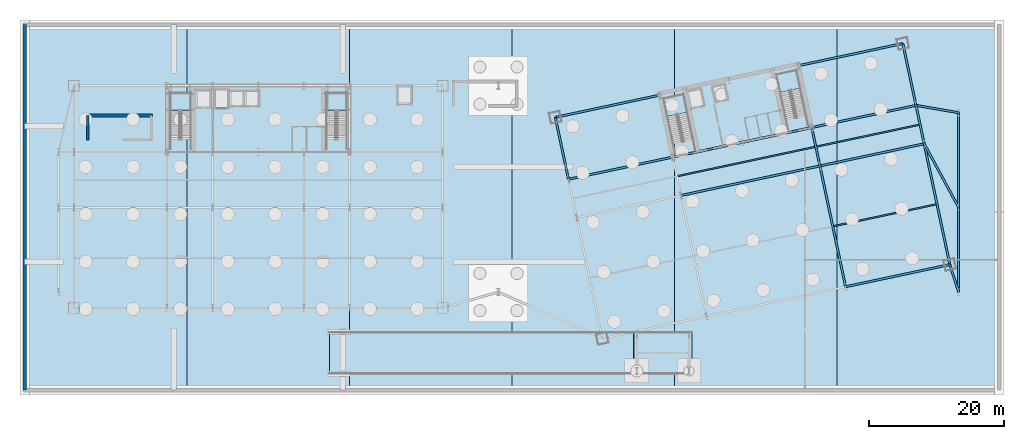
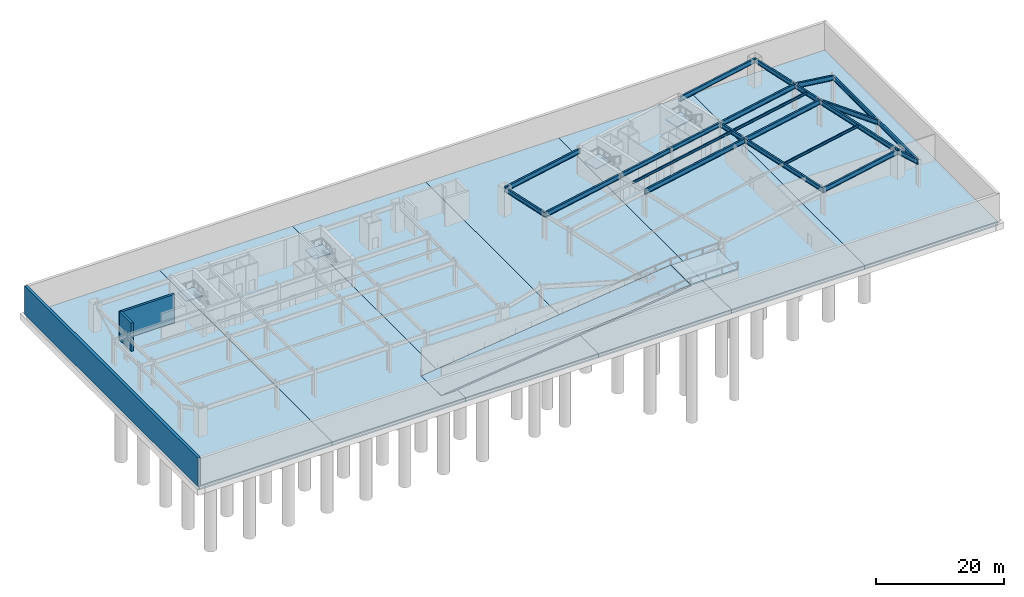
# One storey, part 5 of 15: 23 beams, 12 slabs, 3 walls, 4 elements without a shape of their own.
"""IFC4 building model written with IfcOpenShell, lengths in metres."""

from ifc_helpers import new_model, si_unit, direction, frame, frame_2d, origin, origin_2d, place, context, subcontext, project, spatial, polyline, rectangle, i_section, outline, extrude, material, layer, layer_set, material_profile, profile_set, type_object, element, aggregate, save


model = new_model("IFC4")

# Units and contexts
model_context = context("Model", 3, precision=1e-05, world=origin(), true_north=direction((0.0, 1.0)))
body_context = subcontext(model_context, "Body", "Model", "MODEL_VIEW")
ifc_project = project(units=[si_unit("LENGTHUNIT", "METRE"), si_unit("AREAUNIT", "SQUARE_METRE"), si_unit("VOLUMEUNIT", "CUBIC_METRE"), si_unit("PLANEANGLEUNIT", "RADIAN"), si_unit("MASSUNIT", "GRAM", prefix="KILO")], contexts=[model_context])

# Site, building, storey
site_placement = place(None, origin())
site = spatial("IfcSite", under=ifc_project, at=site_placement, CompositionType="ELEMENT")
building_placement = place(site_placement, origin())
building = spatial("IfcBuilding", under=site, at=building_placement, Name="Haevon Station Towers", CompositionType="ELEMENT")
storey_placement = place(building_placement, frame((0.0, 0.0, -10.800048828125)))
storey = spatial("IfcBuildingStorey", under=building, at=storey_placement, Name="B02", CompositionType="ELEMENT", Elevation=-10.800048828125)

# Beams
ifc_material_1 = material(Name="Steel S355", Category="steel")
ifc_material_profile_1 = material_profile(ifc_material_1, i_section(OverallWidth=0.199951171875, OverallDepth=0.449951171875, WebThickness=0.009033203125, FlangeThickness=0.013916015625, at=origin_2d()), Name="H-450x200x9x14")
ifc_profile_set_1 = profile_set([ifc_material_profile_1], Name="Steel S355")
beam_type_1 = type_object("IfcBeamType", Name="BM-J450", PredefinedType="JOIST", material=ifc_profile_set_1)
beam_1_placement = place(storey_placement, frame((122.504150390625, 27.232666015625, 4.875), z_axis=(0.978149141128, 0.207904443699, 0.0), x_axis=(-0.207904443699, 0.978149141128, 0.0)))
element("IfcBeam", 1, at=beam_1_placement, inside=storey, type_object=beam_type_1, Name="BM-T2J-B02-01-03", PredefinedType="JOIST", context=body_context, shape_type="SweptSolid", body=[
    extrude(i_section(OverallWidth=0.199951171875, OverallDepth=0.449951171875, WebThickness=0.009033203125, FlangeThickness=0.013916015625, at=origin_2d()), origin(), (0.0, 0.0, 1.0), 15.530029296875),
])
beam_2_placement = place(storey_placement, frame((99.462890625, 34.628662109375, 4.875), z_axis=(0.978148548197, 0.207907233306, 0.0), x_axis=(-0.207907233306, 0.978148548197, 0.0)))
element("IfcBeam", 2, at=beam_2_placement, inside=storey, type_object=beam_type_1, Name="BM-T2J-B02-02-02", PredefinedType="JOIST", context=body_context, shape_type="SweptSolid", body=[
    extrude(i_section(OverallWidth=0.199951171875, OverallDepth=0.449951171875, WebThickness=0.009033203125, FlangeThickness=0.013916015625, at=origin_2d()), origin(), (0.0, 0.0, 1.0), 20.780029296875),
])
beam_3_placement = place(storey_placement, frame((120.00390625, 38.994873046875, 4.875), z_axis=(0.978149141128, 0.207904443699, 0.0), x_axis=(-0.207904443699, 0.978149141128, 0.0)))
element("IfcBeam", 3, at=beam_3_placement, inside=storey, type_object=beam_type_1, Name="BM-T2J-B02-02-03", PredefinedType="JOIST", context=body_context, shape_type="SweptSolid", body=[
    extrude(i_section(OverallWidth=0.199951171875, OverallDepth=0.449951171875, WebThickness=0.009033203125, FlangeThickness=0.013916015625, at=origin_2d()), origin(), (0.0, 0.0, 1.0), 15.530029296875),
])
ifc_material_profile_2 = material_profile(ifc_material_1, i_section(OverallWidth=0.300048828125, OverallDepth=0.800048828125, WebThickness=0.013916015625, FlangeThickness=0.02587890625, at=origin_2d()), Name="H-800x300x14x26")
ifc_profile_set_2 = profile_set([ifc_material_profile_2], Name="Steel S355")
beam_type_2 = type_object("IfcBeamType", Name="BM-PG800", PredefinedType="BEAM", material=ifc_profile_set_2)
for number, where, z_axis, x_axis, name in (
    (4, (98.75244140625, 37.4423828125, 4.699951171875), (0.978146794194, 0.207915485254, 0.0), (-0.207915485254, 0.978146794194, 0.0), "BM-T2U-B02-03-02"),
    (5, (109.02294921875, 39.62548828125, 4.699951171875), (0.978146794194, 0.207915485254, 0.0), (-0.207915485254, 0.978146794194, 0.0), "BM-T2U-B02-03-03"),
):
    element("IfcBeam", number, at=place(storey_placement, frame(where, z_axis=z_axis, x_axis=x_axis)), inside=storey, type_object=beam_type_2, Name=name, PredefinedType="BEAM", context=body_context, shape_type="SweptSolid", body=[
        extrude(i_section(OverallWidth=0.300048828125, OverallDepth=0.800048828125, WebThickness=0.013916015625, FlangeThickness=0.02587890625, at=origin_2d()), origin(), (0.0, 0.0, 1.0), 10.5),
    ])
beam_4_placement = place(storey_placement, frame((83.346435546875, 34.167724609375, 4.699951171875), z_axis=(-0.207897167074, 0.978150687738, 0.0), x_axis=(-0.978150687738, -0.207897167074, 0.0)))
element("IfcBeam", 6, at=beam_4_placement, inside=storey, type_object=beam_type_2, Name="BM-T2V-B02-01-03", PredefinedType="BEAM", context=body_context, shape_type="SweptSolid", body=[
    extrude(i_section(OverallWidth=0.300048828125, OverallDepth=0.800048828125, WebThickness=0.013916015625, FlangeThickness=0.02587890625, at=origin_2d()), origin(), (0.0, 0.0, 1.0), 9.35009765625),
])
beam_5_placement = place(storey_placement, frame((124.293701171875, 18.2841796875, 4.699951171875), z_axis=(-0.207915393978, 0.978146813595, 0.0), x_axis=(-0.978146813595, -0.207915393978, 0.0)))
element("IfcBeam", 7, at=beam_5_placement, inside=storey, type_object=beam_type_2, Name="BM-T2V-B02-04-01", PredefinedType="BEAM", context=body_context, shape_type="SweptSolid", body=[
    extrude(i_section(OverallWidth=0.300048828125, OverallDepth=0.800048828125, WebThickness=0.013916015625, FlangeThickness=0.02587890625, at=origin_2d()), origin(), (0.0, 0.0, 1.0), 18.25),
])
beam_6_placement = place(storey_placement, frame((120.499267578125, 36.13525390625, 4.699951171875), z_axis=(-0.207896009217, 0.97815093383, 0.0), x_axis=(-0.97815093383, -0.207896009217, 0.0)))
element("IfcBeam", 8, at=beam_6_placement, inside=storey, type_object=beam_type_2, Name="BM-T2V-B02-04-02", PredefinedType="BEAM", context=body_context, shape_type="SweptSolid", body=[
    extrude(i_section(OverallWidth=0.300048828125, OverallDepth=0.800048828125, WebThickness=0.013916015625, FlangeThickness=0.02587890625, at=origin_2d()), origin(), (0.0, 0.0, 1.0), 5.800048828125),
])
beam_7_placement = place(storey_placement, frame((139.699462890625, 21.558837890625, 4.699951171875), z_axis=(-0.207902594577, 0.978149534155, 0.0), x_axis=(-0.978149534155, -0.207902594577, 0.0)))
element("IfcBeam", 9, at=beam_7_placement, inside=storey, type_object=beam_type_2, Name="BM-T2V-B02-05-01", PredefinedType="BEAM", context=body_context, shape_type="SweptSolid", body=[
    extrude(i_section(OverallWidth=0.300048828125, OverallDepth=0.800048828125, WebThickness=0.013916015625, FlangeThickness=0.02587890625, at=origin_2d()), origin(), (0.0, 0.0, 1.0), 18.249755859375),
])
beam_8_placement = place(storey_placement, frame((135.9052734375, 39.409912109375, 4.699951171875), z_axis=(-0.207936282142, 0.978142373363, 0.0), x_axis=(-0.978142373363, -0.207936282142, 0.0)))
element("IfcBeam", 10, at=beam_8_placement, inside=storey, type_object=beam_type_2, Name="BM-T2V-B02-05-02", PredefinedType="BEAM", context=body_context, shape_type="SweptSolid", body=[
    extrude(i_section(OverallWidth=0.300048828125, OverallDepth=0.800048828125, WebThickness=0.013916015625, FlangeThickness=0.02587890625, at=origin_2d()), origin(), (0.0, 0.0, 1.0), 5.800048828125),
])
beam_9_placement = place(storey_placement, frame((134.69921875, 45.083251953125, 4.699951171875), z_axis=(-0.207902477038, 0.978149559138, 0.0), x_axis=(-0.978149559138, -0.207902477038, 0.0)))
element("IfcBeam", 11, at=beam_9_placement, inside=storey, type_object=beam_type_2, Name="BM-T2V-B02-05-03", PredefinedType="BEAM", context=body_context, shape_type="SweptSolid", body=[
    extrude(i_section(OverallWidth=0.300048828125, OverallDepth=0.800048828125, WebThickness=0.013916015625, FlangeThickness=0.02587890625, at=origin_2d()), origin(), (0.0, 0.0, 1.0), 9.349853515625),
])
beam_10_placement = place(storey_placement, frame((141.0, 17.5, 4.699951171875), z_axis=(0.0, 1.0, 0.0), x_axis=(-1.0, 0.0, 0.0)))
element("IfcBeam", 12, at=beam_10_placement, inside=storey, type_object=beam_type_2, Name="BM-PODNS-B02-E1", PredefinedType="BEAM", context=body_context, shape_type="SweptSolid", body=[
    extrude(i_section(OverallWidth=0.300048828125, OverallDepth=0.800048828125, WebThickness=0.013916015625, FlangeThickness=0.02587890625, at=origin_2d()), origin(), (0.0, 0.0, 1.0), 12.5),
])
beam_11_placement = place(storey_placement, frame((141.0, 30.0, 4.699951171875), z_axis=(0.0, 1.0, 0.0), x_axis=(-1.0, 0.0, 0.0)))
element("IfcBeam", 13, at=beam_11_placement, inside=storey, type_object=beam_type_2, Name="BM-PODNS-B02-E2", PredefinedType="BEAM", context=body_context, shape_type="SweptSolid", body=[
    extrude(i_section(OverallWidth=0.300048828125, OverallDepth=0.800048828125, WebThickness=0.013916015625, FlangeThickness=0.02587890625, at=origin_2d()), origin(), (0.0, 0.0, 1.0), 14.0),
])
ifc_material_profile_3 = material_profile(ifc_material_1, i_section(OverallWidth=0.300048828125, OverallDepth=0.89990234375, WebThickness=0.01611328125, FlangeThickness=0.028076171875, at=origin_2d()), Name="H-900x300x16x28")
ifc_profile_set_3 = profile_set([ifc_material_profile_3], Name="Steel S355")
beam_type_3 = type_object("IfcBeamType", Name="BM-PG900", PredefinedType="BEAM", material=ifc_profile_set_3)
beam_12_placement = place(storey_placement, frame((124.293701171875, 18.2841796875, 4.650146484375), z_axis=(0.978146794194, 0.207915485254, 0.0), x_axis=(-0.207915485254, 0.978146794194, 0.0)))
element("IfcBeam", 14, at=beam_12_placement, inside=storey, type_object=beam_type_3, Name="BM-T2U-B02-01-04", PredefinedType="BEAM", context=body_context, shape_type="SweptSolid", body=[
    extrude(i_section(OverallWidth=0.300048828125, OverallDepth=0.89990234375, WebThickness=0.01611328125, FlangeThickness=0.028076171875, at=origin_2d()), origin(), (0.0, 0.0, 1.0), 15.75),
])
beam_13_placement = place(storey_placement, frame((99.958251953125, 31.76904296875, 4.650146484375), z_axis=(0.978146794194, 0.207915485254, 0.0), x_axis=(-0.207915485254, 0.978146794194, 0.0)))
element("IfcBeam", 15, at=beam_13_placement, inside=storey, type_object=beam_type_3, Name="BM-T2U-B02-02-02", PredefinedType="BEAM", context=body_context, shape_type="SweptSolid", body=[
    extrude(i_section(OverallWidth=0.300048828125, OverallDepth=0.89990234375, WebThickness=0.01611328125, FlangeThickness=0.028076171875, at=origin_2d()), origin(), (0.0, 0.0, 1.0), 21.0),
])
for number, where, z_axis, x_axis, name in (
    (16, (120.499267578125, 36.13525390625, 4.650146484375), (0.978147464271, 0.207912332825, 0.0), (-0.207912332825, 0.978147464271, 0.0), "BM-T2U-B02-02-04"),
    (17, (83.346435546875, 34.167724609375, 4.650146484375), (0.978147464271, 0.207912332825, 0.0), (-0.207912332825, 0.978147464271, 0.0), "BM-T2U-B02-03-01"),
):
    element("IfcBeam", number, at=place(storey_placement, frame(where, z_axis=z_axis, x_axis=x_axis)), inside=storey, type_object=beam_type_3, Name=name, PredefinedType="BEAM", context=body_context, shape_type="SweptSolid", body=[
        extrude(i_section(OverallWidth=0.300048828125, OverallDepth=0.89990234375, WebThickness=0.01611328125, FlangeThickness=0.028076171875, at=origin_2d()), origin(), (0.0, 0.0, 1.0), 15.750244140625),
    ])
for number, where, z_axis, x_axis, name in (
    (18, (119.29345703125, 41.80859375, 4.650146484375), (0.978146794194, 0.207915485254, 0.0), (-0.207915485254, 0.978146794194, 0.0), "BM-T2U-B02-03-04"),
    (19, (81.402587890625, 43.3134765625, 4.650146484375), (0.978146794194, 0.207915485254, 0.0), (-0.207915485254, 0.978146794194, 0.0), "BM-T2U-B02-04-01"),
):
    element("IfcBeam", number, at=place(storey_placement, frame(where, z_axis=z_axis, x_axis=x_axis)), inside=storey, type_object=beam_type_3, Name=name, PredefinedType="BEAM", context=body_context, shape_type="SweptSolid", body=[
        extrude(i_section(OverallWidth=0.300048828125, OverallDepth=0.89990234375, WebThickness=0.01611328125, FlangeThickness=0.028076171875, at=origin_2d()), origin(), (0.0, 0.0, 1.0), 15.75),
    ])
beam_14_placement = place(storey_placement, frame((117.349365234375, 50.954345703125, 4.650146484375), z_axis=(0.978150616551, 0.207897502008, 0.0), x_axis=(-0.207897502008, 0.978150616551, 0.0)))
element("IfcBeam", 20, at=beam_14_placement, inside=storey, type_object=beam_type_3, Name="BM-T2U-B02-04-04", PredefinedType="BEAM", context=body_context, shape_type="SweptSolid", body=[
    extrude(i_section(OverallWidth=0.300048828125, OverallDepth=0.89990234375, WebThickness=0.01611328125, FlangeThickness=0.028076171875, at=origin_2d()), origin(), (0.0, 0.0, 1.0), 15.750244140625),
])
beam_15_placement = place(storey_placement, frame((139.699462890625, 21.558837890625, 4.650146484375), z_axis=(0.305139430983, -0.952307685393, 0.0), x_axis=(0.952307685393, 0.305139430983, 0.0)))
element("IfcBeam", 21, at=beam_15_placement, inside=storey, type_object=beam_type_3, Name="BM-PODE-B02-1", PredefinedType="BEAM", context=body_context, shape_type="SweptSolid", body=[
    extrude(i_section(OverallWidth=0.300048828125, OverallDepth=0.89990234375, WebThickness=0.01611328125, FlangeThickness=0.028076171875, at=origin_2d()), origin(), (0.0, 0.0, 1.0), 4.26220703125),
])
beam_16_placement = place(storey_placement, frame((135.9052734375, 39.409912109375, 4.650146484375), z_axis=(0.476116295025, -0.879382325051, 0.0), x_axis=(0.879382325051, 0.476116295025, 0.0)))
element("IfcBeam", 22, at=beam_16_placement, inside=storey, type_object=beam_type_3, Name="BM-PODE-B02-2", PredefinedType="BEAM", context=body_context, shape_type="SweptSolid", body=[
    extrude(i_section(OverallWidth=0.300048828125, OverallDepth=0.89990234375, WebThickness=0.01611328125, FlangeThickness=0.028076171875, at=origin_2d()), origin(), (0.0, 0.0, 1.0), 10.70068359375),
])
beam_17_placement = place(storey_placement, frame((134.69921875, 45.083251953125, 4.650146484375), z_axis=(0.985540920751, -0.169437580028, 0.0), x_axis=(0.169437580028, 0.985540920751, 0.0)))
element("IfcBeam", 23, at=beam_17_placement, inside=storey, type_object=beam_type_3, Name="BM-PODE-B02-3", PredefinedType="BEAM", context=body_context, shape_type="SweptSolid", body=[
    extrude(i_section(OverallWidth=0.300048828125, OverallDepth=0.89990234375, WebThickness=0.01611328125, FlangeThickness=0.028076171875, at=origin_2d()), origin(), (0.0, 0.0, 1.0), 6.393310546875),
])

# Slabs
ifc_material_2 = material(Name="Concrete C50/60", Category="concrete")
ifc_layer_1 = layer(ifc_material_2, 0.800048828125)
ifc_layer_set_1 = layer_set([ifc_layer_1], Name="Concrete C50/60")
slab_type_1 = type_object("IfcSlabType", Name="SL-BASE800", PredefinedType="BASESLAB", material=ifc_layer_set_1)
slab_1_placement = place(storey_placement, frame((0.0, 0.0, -0.800048828125)))
element("IfcSlab", 24, at=slab_1_placement, inside=storey, type_object=slab_type_1, Name="SL-B02-BASE-01", PredefinedType="BASESLAB", context=body_context, shape_type="SweptSolid", body=[
    extrude(outline(polyline([(3.0, 3.0), (27.0, 3.0), (27.0, 57.0), (3.0, 57.0), (3.0, 3.0)])), origin(), (0.0, 0.0, 1.0), 0.800048828125),
])
slab_2_placement = place(storey_placement, frame((0.0, 0.0, -0.800048828125)))
element("IfcSlab", 25, at=slab_2_placement, inside=storey, type_object=slab_type_1, Name="SL-B02-BASE-02", PredefinedType="BASESLAB", context=body_context, shape_type="SweptSolid", body=[
    extrude(outline(polyline([(27.0, 3.0), (51.0, 3.0), (51.0, 57.0), (27.0, 57.0), (27.0, 3.0)]), holes=[polyline([(48.0, 5.3798828125), (50.800048828125, 5.3798828125), (50.800048828125, 11.6201171875), (48.0, 11.6201171875), (48.0, 5.3798828125)])]), origin(), (0.0, 0.0, 1.0), 0.800048828125),
])
slab_3_placement = place(storey_placement, frame((0.0, 0.0, -0.800048828125)))
element("IfcSlab", 26, at=slab_3_placement, inside=storey, type_object=slab_type_1, Name="SL-B02-BASE-03", PredefinedType="BASESLAB", context=body_context, shape_type="SweptSolid", body=[
    extrude(outline(polyline([(51.0, 3.0), (75.0, 3.0), (75.0, 57.0), (51.0, 57.0), (51.0, 3.0)])), origin(), (0.0, 0.0, 1.0), 0.800048828125),
])
slab_4_placement = place(storey_placement, frame((0.0, 0.0, -0.800048828125)))
element("IfcSlab", 27, at=slab_4_placement, inside=storey, type_object=slab_type_1, Name="SL-B02-BASE-04", PredefinedType="BASESLAB", context=body_context, shape_type="SweptSolid", body=[
    extrude(outline(polyline([(75.0, 3.0), (99.0, 3.0), (99.0, 57.0), (75.0, 57.0), (75.0, 3.0)])), origin(), (0.0, 0.0, 1.0), 0.800048828125),
])
slab_5_placement = place(storey_placement, frame((0.0, 0.0, -0.800048828125)))
element("IfcSlab", 28, at=slab_5_placement, inside=storey, type_object=slab_type_1, Name="SL-B02-BASE-05", PredefinedType="BASESLAB", context=body_context, shape_type="SweptSolid", body=[
    extrude(outline(polyline([(99.0, 3.0), (123.0, 3.0), (123.0, 57.0), (99.0, 57.0), (99.0, 3.0)])), origin(), (0.0, 0.0, 1.0), 0.800048828125),
])
slab_6_placement = place(storey_placement, frame((0.0, 0.0, -0.800048828125)))
element("IfcSlab", 29, at=slab_6_placement, inside=storey, type_object=slab_type_1, Name="SL-B02-BASE-06", PredefinedType="BASESLAB", context=body_context, shape_type="SweptSolid", body=[
    extrude(outline(polyline([(123.0, 3.0), (147.0, 3.0), (147.0, 57.0), (123.0, 57.0), (123.0, 3.0)])), origin(), (0.0, 0.0, 1.0), 0.800048828125),
])

# Stair, slab
ifc_material_3 = material(Name="Concrete C40/50", Category="concrete")
stair_type = type_object("IfcStairType", Name="STR-DL1450", PredefinedType="USERDEFINED", material=ifc_material_3)
stair_1_placement = place(storey_placement, origin())
stair_1 = element("IfcStair", 30, at=stair_1_placement, inside=storey, type_object=stair_type, Name="B02 Escape Stair ST1", ObjectType="TWO_RETURN_STAIR", PredefinedType="USERDEFINED")
ifc_layer_2 = layer(ifc_material_3, 0.199951171875)
ifc_layer_set_2 = layer_set([ifc_layer_2], Name="Concrete C40/50")
slab_type_2 = type_object("IfcSlabType", Name="SL-LND200", PredefinedType="LANDING", material=ifc_layer_set_2)
slab_7_placement = place(storey_placement, frame((0.0, 0.0, 2.5)))
slab_7 = element("IfcSlab", 31, at=slab_7_placement, type_object=slab_type_2, Name="B02 ST1 Half Landing 1", PredefinedType="LANDING", context=body_context, shape_type="SweptSolid", body=[
    extrude(outline(polyline([(27.580078125, 44.243896484375), (27.580078125, 47.0), (24.47998046875, 47.0), (24.47998046875, 44.243896484375), (27.580078125, 44.243896484375)])), origin(), (0.0, 0.0, 1.0), 0.199951171875),
])
aggregate(stair_1, [slab_7])

stair_2_placement = place(storey_placement, origin())
stair_2 = element("IfcStair", 32, at=stair_2_placement, inside=storey, type_object=stair_type, Name="B02 Escape Stair ST2", ObjectType="TWO_RETURN_STAIR", PredefinedType="USERDEFINED")
slab_8_placement = place(storey_placement, frame((0.0, 0.0, 2.5)))
slab_8 = element("IfcSlab", 33, at=slab_8_placement, type_object=slab_type_2, Name="B02 ST2 Half Landing 1", PredefinedType="LANDING", context=body_context, shape_type="SweptSolid", body=[
    extrude(outline(polyline([(50.6201171875, 44.243896484375), (50.6201171875, 47.0), (47.52001953125, 47.0), (47.52001953125, 44.243896484375), (50.6201171875, 44.243896484375)])), origin(), (0.0, 0.0, 1.0), 0.199951171875),
])
aggregate(stair_2, [slab_8])

stair_3_placement = place(storey_placement, origin())
stair_3 = element("IfcStair", 34, at=stair_3_placement, inside=storey, type_object=stair_type, Name="B02 Escape Stair ST3", ObjectType="TWO_RETURN_STAIR", PredefinedType="USERDEFINED")
slab_9_placement = place(storey_placement, frame((0.0, 0.0, 2.5)))
slab_9 = element("IfcSlab", 35, at=slab_9_placement, type_object=slab_type_2, Name="B02 ST3 Half Landing 1", PredefinedType="LANDING", context=body_context, shape_type="SweptSolid", body=[
    extrude(outline(polyline([(100.938720703125, 44.086181640625), (100.36572265625, 46.781982421875), (97.33349609375, 46.137451171875), (97.906494140625, 43.441650390625), (100.938720703125, 44.086181640625)])), origin(), (0.0, 0.0, 1.0), 0.199951171875),
])
aggregate(stair_3, [slab_9])

stair_4_placement = place(storey_placement, origin())
stair_4 = element("IfcStair", 36, at=stair_4_placement, inside=storey, type_object=stair_type, Name="B02 Escape Stair ST4", ObjectType="TWO_RETURN_STAIR", PredefinedType="USERDEFINED")
slab_10_placement = place(storey_placement, frame((0.0, 0.0, 2.5)))
slab_10 = element("IfcSlab", 37, at=slab_10_placement, type_object=slab_type_2, Name="B02 ST4 Half Landing 1", PredefinedType="LANDING", context=body_context, shape_type="SweptSolid", body=[
    extrude(outline(polyline([(117.6259765625, 47.633056640625), (117.052978515625, 50.328857421875), (114.020751953125, 49.684326171875), (114.59375, 46.988525390625), (117.6259765625, 47.633056640625)])), origin(), (0.0, 0.0, 1.0), 0.199951171875),
])
aggregate(stair_4, [slab_10])

# Slabs
ifc_layer_3 = layer(ifc_material_3, 0.300048828125)
ifc_layer_set_3 = layer_set([ifc_layer_3], Name="Concrete C40/50")
slab_type_3 = type_object("IfcSlabType", Name="SL-RMP300", PredefinedType="FLOOR", material=ifc_layer_set_3)
slab_11_placement = place(storey_placement, frame((0.0, 0.0, 5.10009765625)))
element("IfcSlab", 38, at=slab_11_placement, inside=storey, type_object=slab_type_3, Name="Car park vehicle ramp R1 intermediate landing slab", PredefinedType="FLOOR", context=body_context, shape_type="SweptSolid", body=[
    extrude(outline(polyline([(93.02001953125, 5.419921875), (101.580078125, 5.419921875), (101.580078125, 11.580078125), (93.02001953125, 11.580078125), (93.02001953125, 5.419921875)])), origin(), (0.0, 0.0, 1.0), 0.300048828125),
])
slab_12_placement = place(storey_placement, frame((48.02001953125, 5.419921875, 0.0), z_axis=(-0.119253005966, 0.0, 0.99286389831), x_axis=(0.99286389831, 0.0, 0.119253005966)))
element("IfcSlab", 39, at=slab_12_placement, inside=storey, type_object=slab_type_3, Name="Car park vehicle ramp R1 lower structural slab", PredefinedType="FLOOR", context=body_context, shape_type="SweptSolid", body=[
    extrude(outline(polyline([(0.0, 0.0), (45.283203125, 0.0), (45.283203125, 6.16015625), (0.0, 6.16015625), (0.0, 0.0)])), origin(), (0.0, 0.0, -1.0), 0.300048828125),
])

# Walls
ifc_material_4 = material(Name="Concrete C60/75", Category="concrete")
ifc_layer_4 = layer(ifc_material_4, 0.39990234375)
ifc_layer_set_4 = layer_set([ifc_layer_4], Name="Concrete C60/75")
wall_type_1 = type_object("IfcWallType", Name="WL-CR400", PredefinedType="SHEAR", material=ifc_layer_set_4)
wall_1_placement = place(storey_placement, frame((12.10009765625, 43.60009765625, 0.0), z_axis=(0.0, 0.0, 1.0), x_axis=(1.0, 0.0, 0.0)))
element("IfcWall", 40, at=wall_1_placement, inside=storey, type_object=wall_type_1, Name="WL-ST5CR-B02-N", PredefinedType="SHEAR", context=body_context, shape_type="SweptSolid", body=[
    extrude(rectangle(XDim=9.7998046875, YDim=0.39990234375, at=frame_2d((4.89990234375, 0.0))), origin(), (0.0, 0.0, 1.0), 5.400146484375),
])
wall_2_placement = place(storey_placement, frame((12.300048828125, 40.0, 0.0), z_axis=(0.0, 0.0, 1.0), x_axis=(0.0, 1.0, 0.0)))
element("IfcWall", 41, at=wall_2_placement, inside=storey, type_object=wall_type_1, Name="WL-ST5CR-B02-W", PredefinedType="SHEAR", context=body_context, shape_type="SweptSolid", body=[
    extrude(rectangle(XDim=3.60009765625, YDim=0.39990234375, at=frame_2d((1.800048828125, 0.0))), origin(), (0.0, 0.0, 1.0), 5.400146484375),
])
ifc_layer_5 = layer(ifc_material_2, 0.5)
ifc_layer_set_5 = layer_set([ifc_layer_5], Name="Concrete C50/60")
wall_type_2 = type_object("IfcWallType", Name="WL-RET500", PredefinedType="SOLIDWALL", material=ifc_layer_set_5)
wall_3_placement = place(storey_placement, frame((3.0, 3.0, 0.0), z_axis=(0.0, 0.0, 1.0), x_axis=(0.0, 1.0, 0.0)))
element("IfcWall", 42, at=wall_3_placement, inside=storey, type_object=wall_type_2, Name="WL-RET-B02-W", PredefinedType="SOLIDWALL", context=body_context, shape_type="SweptSolid", body=[
    extrude(rectangle(XDim=54.0, YDim=0.5, at=frame_2d((27.0, 0.0))), origin(), (0.0, 0.0, 1.0), 5.400146484375),
])

save(model, "model.ifc")
